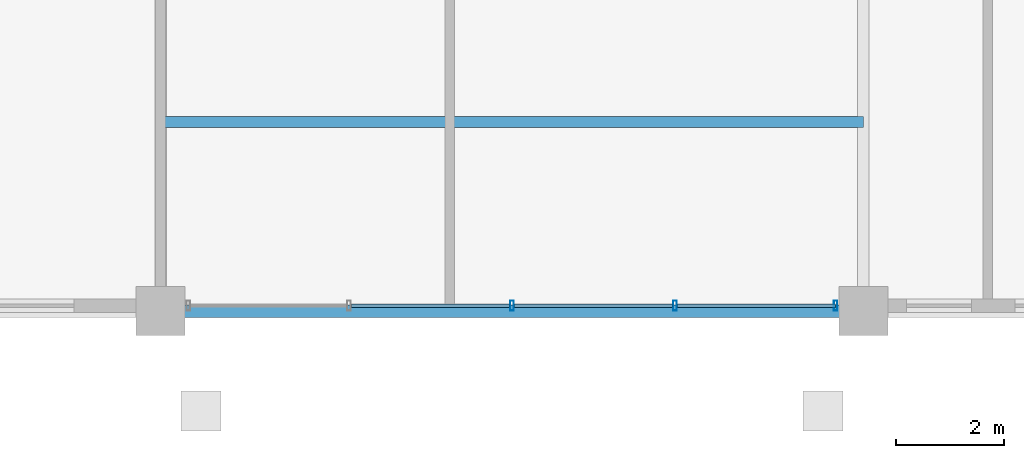
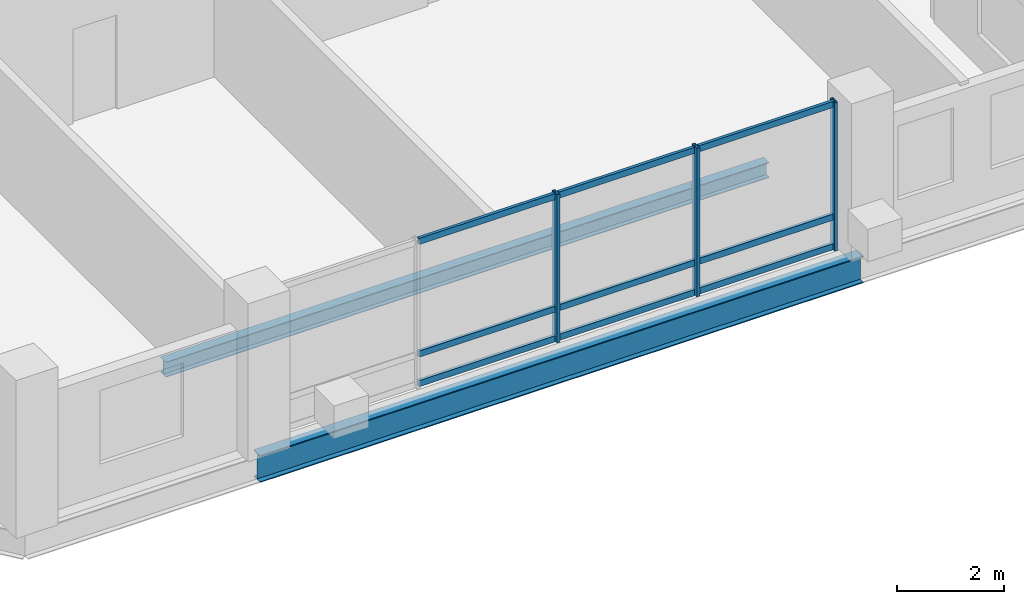
# One storey, part 4 of 21: 12 members, 2 beams, 1 element without a shape of its own.
"""IFC4 building model written with IfcOpenShell, lengths in metres."""

import ifcopenshell
import ifcopenshell.guid

model = None  # the IFC model being written
_history = None  # IfcOwnerHistory: only IFC2X3 demands one
_inside = {}  # id of a spatial element -> (the spatial element, [elements in it])
_under = {}  # id of a project, library or spatial element -> (it, [spatial elements below it])
_declared = {}  # id of a project -> (the project, [libraries it declares])
_typed = {}  # id of a type object -> (the type object, [elements of that type])
_made_of = {}  # id of a material, layer set ... -> (it, [elements and type objects made of it])


def new_model(schema):
    """Start an empty IFC model of exactly this schema.

    Asked for "IFC4X3", IfcOpenShell would pick the latest addendum, in which some entities
    have other attributes; the version numbers below select the first issue.
    IFC2X3 requires an IfcOwnerHistory on every rooted entity: one is made here for all.
    """
    global model, _history
    if schema == "IFC4X3":
        model = ifcopenshell.file(schema_version=(4, 3, 0, 0))
    else:
        model = ifcopenshell.file(schema=schema)
    _inside.clear()
    _under.clear()
    _declared.clear()
    _typed.clear()
    _made_of.clear()
    _history = None
    if model.schema == "IFC2X3":
        org = make("IfcOrganization", Name="unknown")
        user = make(
            "IfcPersonAndOrganization",
            ThePerson=make("IfcPerson", FamilyName="unknown"),
            TheOrganization=org,
        )
        app = make(
            "IfcApplication",
            ApplicationDeveloper=org,
            Version="unknown",
            ApplicationFullName="unknown",
            ApplicationIdentifier="unknown",
        )
        _history = make(
            "IfcOwnerHistory",
            OwningUser=user,
            OwningApplication=app,
            ChangeAction="ADDED",
            CreationDate=0,
        )
    return model


def make(cls, **values):
    """One entity of the class cls with the attributes given. An attribute that is None is left unset."""
    return model.create_entity(
        cls, **{name: value for name, value in values.items() if value is not None}
    )


def rooted(cls, **values):
    """An entity with a GlobalId (a new one), such as an element, a storey or a relation."""
    return make(cls, GlobalId=ifcopenshell.guid.new(), OwnerHistory=_history, **values)


def si_unit(unit_type, name, prefix=None):
    """IfcSIUnit, for example si_unit("LENGTHUNIT", "METRE", prefix="MILLI")."""
    return make("IfcSIUnit", UnitType=unit_type, Prefix=prefix, Name=name)


def assignment(units):
    """IfcUnitAssignment: the units of a project."""
    return None if units is None else make("IfcUnitAssignment", Units=units)


def point(xyz):
    """IfcCartesianPoint."""
    return None if xyz is None else make("IfcCartesianPoint", Coordinates=xyz)


def direction(xyz):
    """IfcDirection."""
    return None if xyz is None else make("IfcDirection", DirectionRatios=xyz)


def frame(location, z_axis=None, x_axis=None):
    """IfcAxis2Placement3D, a coordinate frame: its origin and axes. An axis left out is left unset."""
    return make(
        "IfcAxis2Placement3D",
        Location=point(location),
        Axis=direction(z_axis),
        RefDirection=direction(x_axis),
    )


def frame_2d(location, x_axis=None):
    """IfcAxis2Placement2D, a coordinate frame in the plane: its origin and x axis."""
    return make(
        "IfcAxis2Placement2D", Location=point(location), RefDirection=direction(x_axis)
    )


def origin():
    """The frame at (0, 0, 0) with its axes left unset."""
    return frame((0.0, 0.0, 0.0))


def origin_2d():
    """The frame at (0, 0) in the plane with its x axis left unset."""
    return frame_2d((0.0, 0.0))


def place(relative_to, where):
    """IfcLocalPlacement: puts the frame where relative to a parent placement (None: the world)."""
    return make(
        "IfcLocalPlacement", PlacementRelTo=relative_to, RelativePlacement=where
    )


def context(
    kind, dimensions, precision=None, world=None, true_north=None, identifier=None
):
    """IfcGeometricRepresentationContext, for example the 3D "Model" context."""
    return make(
        "IfcGeometricRepresentationContext",
        ContextIdentifier=identifier,
        ContextType=kind,
        CoordinateSpaceDimension=dimensions,
        Precision=precision,
        WorldCoordinateSystem=world,
        TrueNorth=true_north,
    )


def subcontext(parent, identifier, kind, view, scale=None):
    """IfcGeometricRepresentationSubContext, for example "Body" below "Model"."""
    return make(
        "IfcGeometricRepresentationSubContext",
        ContextIdentifier=identifier,
        ContextType=kind,
        ParentContext=parent,
        TargetScale=scale,
        TargetView=view,
    )


def project(units=None, contexts=None):
    """IfcProject with its units and contexts."""
    return rooted(
        "IfcProject",
        Name="project",
        RepresentationContexts=contexts,
        UnitsInContext=assignment(units),
    )


def spatial(cls, under=None, at=None, **own):
    """A site, building, storey or space (cls), placed at a placement, below another one or the project."""
    s = rooted(cls, ObjectPlacement=at, **own)
    if under is not None:
        _under.setdefault(under.id(), (under, []))[1].append(s)
    return s


def profile(cls, at=None, kind="AREA", **sizes):
    """A parametric profile (cls). Its sizes go by their IFC names, for example OverallWidth=200.0."""
    return make(cls, ProfileType=kind, Position=at, **sizes)


def hollow_rectangle(**sizes):
    """IfcRectangleHollowProfileDef."""
    return profile("IfcRectangleHollowProfileDef", **sizes)


def i_section(**sizes):
    """IfcIShapeProfileDef."""
    return profile("IfcIShapeProfileDef", **sizes)


def extrude(swept, where, along, depth):
    """IfcExtrudedAreaSolid: the profile swept, set in the frame where, extruded along a direction by depth."""
    return make(
        "IfcExtrudedAreaSolid",
        SweptArea=swept,
        Position=where,
        ExtrudedDirection=direction(along),
        Depth=depth,
    )


def shape(context_of_items, identifier, shape_type, items):
    """IfcShapeRepresentation: the items that make up one representation, for example the "Body"."""
    return make(
        "IfcShapeRepresentation",
        ContextOfItems=context_of_items,
        RepresentationIdentifier=identifier,
        RepresentationType=shape_type,
        Items=items,
    )


def material(Name=None, Category=None):
    """IfcMaterial."""
    return make("IfcMaterial", Name=Name, Category=Category)


def layer(
    of_material, thickness, ventilated=None, Name=None, Category=None, Priority=None
):
    """IfcMaterialLayer: one layer of a wall or slab, of a material (None: an air gap)."""
    return make(
        "IfcMaterialLayer",
        Material=of_material,
        LayerThickness=thickness,
        IsVentilated=ventilated,
        Name=Name,
        Category=Category,
        Priority=Priority,
    )


def layer_set(layers, Name=None):
    """IfcMaterialLayerSet."""
    return make("IfcMaterialLayerSet", MaterialLayers=layers, LayerSetName=Name)


def material_profile(
    of_material, cross_section, Name=None, Category=None, Priority=None
):
    """IfcMaterialProfile: a cross section and its material."""
    return make(
        "IfcMaterialProfile",
        Name=Name,
        Material=of_material,
        Profile=cross_section,
        Priority=Priority,
        Category=Category,
    )


def profile_set(profiles, Name=None, composite=None):
    """IfcMaterialProfileSet."""
    return make(
        "IfcMaterialProfileSet",
        Name=Name,
        MaterialProfiles=profiles,
        CompositeProfile=composite,
    )


def made_of(thing, what):
    """Note that an element or type object is made of a material, layer set ...; save() writes the relation."""
    if what is not None:
        _made_of.setdefault(what.id(), (what, []))[1].append(thing)
    return thing


def type_object(cls, material=None, **own):
    """A type object (cls), such as IfcWallType, which elements share."""
    return made_of(rooted(cls, **own), material)


def element(
    cls,
    number,
    at=None,
    inside=None,
    cuts=None,
    type_object=None,
    material=None,
    context=None,
    identifier="Body",
    shape_type=None,
    held_by="IfcProductDefinitionShape",
    body=None,
    shapes=None,
    **own,
):
    """One element of the class cls, such as IfcWall. Its Tag is "e" and its number.

    at: its placement. inside: the storey or other place that contains it. cuts: it is an
    opening in that element (IfcRelVoidsElement). A single representation is given by context,
    identifier, shape_type and body (its items); several are given by shapes. held_by: the class
    of the entity that holds the representations. save() writes the other relations.
    """
    e = rooted(cls, Tag="e%d" % number, ObjectPlacement=at, **own)
    if body is not None:
        shapes = [shape(context, identifier, shape_type, body)]
    if shapes is not None:
        e.Representation = make(held_by, Representations=shapes)
    if inside is not None:
        _inside.setdefault(inside.id(), (inside, []))[1].append(e)
    if cuts is not None:
        rooted(
            "IfcRelVoidsElement", RelatingBuildingElement=cuts, RelatedOpeningElement=e
        )
    if type_object is not None:
        _typed.setdefault(type_object.id(), (type_object, []))[1].append(e)
    return made_of(e, material)


def aggregate(whole, parts):
    """IfcRelAggregates: a whole, such as a stair, and the parts it consists of."""
    return rooted("IfcRelAggregates", RelatingObject=whole, RelatedObjects=parts)


def save(model, path):
    """Write the relations noted so far, then the file.

    IfcRelAggregates (storeys below a building ...), IfcRelContainedInSpatialStructure (elements
    in a storey), IfcRelDefinesByType, IfcRelAssociatesMaterial and IfcRelDeclares: one each for
    every whole, place, type object, material and project.
    """
    for whole, parts in _under.values():
        aggregate(whole, parts)
    for where, things in _inside.values():
        rooted(
            "IfcRelContainedInSpatialStructure",
            RelatedElements=things,
            RelatingStructure=where,
        )
    for kind, things in _typed.values():
        rooted("IfcRelDefinesByType", RelatedObjects=things, RelatingType=kind)
    for what, things in _made_of.values():
        rooted("IfcRelAssociatesMaterial", RelatedObjects=things, RelatingMaterial=what)
    for by, libraries in _declared.values():
        rooted("IfcRelDeclares", RelatingContext=by, RelatedDefinitions=libraries)
    model.write(path)


model = new_model("IFC4")

# Units and contexts
model_context = context("Model", 3, precision=1e-05, world=origin(), true_north=direction((0.0, 1.0)))
body_context = subcontext(model_context, "Body", "Model", "MODEL_VIEW")
ifc_project = project(units=[si_unit("LENGTHUNIT", "METRE"), si_unit("AREAUNIT", "SQUARE_METRE"), si_unit("VOLUMEUNIT", "CUBIC_METRE"), si_unit("PLANEANGLEUNIT", "RADIAN"), si_unit("MASSUNIT", "GRAM", prefix="KILO")], contexts=[model_context])

# Site, building, storey
site_placement = place(None, origin())
site = spatial("IfcSite", under=ifc_project, at=site_placement, CompositionType="ELEMENT")
building_placement = place(site_placement, origin())
building = spatial("IfcBuilding", under=site, at=building_placement, Name="Barlavira Tower and Art Museum", CompositionType="ELEMENT")
storey_placement = place(building_placement, frame((0.0, 0.0, 287.10009765625)))
storey = spatial("IfcBuildingStorey", under=building, at=storey_placement, Name="L75", CompositionType="ELEMENT", Elevation=287.10009765625)

# Curtain wall, members
ifc_material_1 = material(Name="Low-iron coastal laminated glass", Category="glass")
ifc_layer = layer(ifc_material_1, 0.2099609375, Name="Low-iron coastal laminated glass")
ifc_layer_set = layer_set([ifc_layer], Name="Low-iron coastal laminated glass")
curtain_wall_type = type_object("IfcCurtainWallType", Name="Pale-Metal Unitised Curtain Wall Zone 4", PredefinedType="NOTDEFINED", material=ifc_layer_set)
curtain_wall_placement = place(storey_placement, origin())
curtain_wall = element("IfcCurtainWall", 1, at=curtain_wall_placement, inside=storey, type_object=curtain_wall_type, Name="L75 Curtain Wall CW4-L75-S-B2", PredefinedType="NOTDEFINED")
ifc_material_2 = material(Name="Pale anodised aluminium", Category="aluminium")
ifc_material_profile_1 = material_profile(ifc_material_2, hollow_rectangle(XDim=0.06494140625, YDim=0.179931640625, WallThickness=0.00390625, at=origin_2d()), Name="ALU-MULL 65x180x4")
ifc_profile_set_1 = profile_set([ifc_material_profile_1], Name="Pale anodised aluminium")
member_type_1 = type_object("IfcMemberType", Name="Curtain Wall Pale-Metal Mullion 65x180", PredefinedType="MULLION", material=ifc_profile_set_1)
member_1_placement = place(storey_placement, frame((0.0, -19.89990234375, 0.0), z_axis=(0.0, 0.0, 1.0), x_axis=(1.0, 0.0, 0.0)))
member_1 = element("IfcMember", 2, at=member_1_placement, type_object=member_type_1, Name="CW4-L75-S-B2 Mullion 2", PredefinedType="MULLION", context=body_context, shape_type="SweptSolid", body=[
    extrude(hollow_rectangle(XDim=0.06494140625, YDim=0.179931640625, WallThickness=0.00390625, at=origin_2d()), origin(), (0.0, 0.0, 1.0), 3.3798828125),
])
member_2_placement = place(storey_placement, frame((3.014892578125, -19.89990234375, 0.0), z_axis=(0.0, 0.0, 1.0), x_axis=(1.0, 0.0, 0.0)))
member_2 = element("IfcMember", 3, at=member_2_placement, type_object=member_type_1, Name="CW4-L75-S-B2 Mullion 3", PredefinedType="MULLION", context=body_context, shape_type="SweptSolid", body=[
    extrude(hollow_rectangle(XDim=0.06494140625, YDim=0.179931640625, WallThickness=0.00390625, at=origin_2d()), origin(), (0.0, 0.0, 1.0), 3.3798828125),
])
member_3_placement = place(storey_placement, frame((5.985107421875, -19.89990234375, 0.0), z_axis=(0.0, 0.0, 1.0), x_axis=(1.0, 0.0, 0.0)))
member_3 = element("IfcMember", 4, at=member_3_placement, type_object=member_type_1, Name="CW4-L75-S-B2 Mullion 4", PredefinedType="MULLION", context=body_context, shape_type="SweptSolid", body=[
    extrude(hollow_rectangle(XDim=0.06494140625, YDim=0.179931640625, WallThickness=0.00390625, at=origin_2d()), origin(), (0.0, 0.0, 1.0), 3.3798828125),
])
ifc_material_profile_2 = material_profile(ifc_material_2, hollow_rectangle(XDim=0.06494140625, YDim=0.139892578125, WallThickness=0.00390625, at=origin_2d()), Name="ALU-TRAN 65x140x4")
ifc_profile_set_2 = profile_set([ifc_material_profile_2], Name="Pale anodised aluminium")
member_type_2 = type_object("IfcMemberType", Name="Curtain Wall Pale-Metal Transom 65x140", PredefinedType="USERDEFINED", material=ifc_profile_set_2)
member_4_placement = place(storey_placement, frame((-2.969970703125, -19.89990234375, 0.06982421875), z_axis=(1.0, 0.0, 0.0), x_axis=(0.0, 1.0, 0.0)))
member_4 = element("IfcMember", 5, at=member_4_placement, type_object=member_type_2, Name="CW4-L75-S-B2 Transom 1.1", ObjectType="TRANSOM", PredefinedType="USERDEFINED", context=body_context, shape_type="SweptSolid", body=[
    extrude(hollow_rectangle(XDim=0.06494140625, YDim=0.139892578125, WallThickness=0.00390625, at=origin_2d()), origin(), (0.0, 0.0, 1.0), 2.925048828125),
])
member_5_placement = place(storey_placement, frame((-2.969970703125, -19.89990234375, 0.743896484375), z_axis=(1.0, 0.0, 0.0), x_axis=(0.0, 1.0, 0.0)))
member_5 = element("IfcMember", 6, at=member_5_placement, type_object=member_type_2, Name="CW4-L75-S-B2 Transom 1.2", ObjectType="TRANSOM", PredefinedType="USERDEFINED", context=body_context, shape_type="SweptSolid", body=[
    extrude(hollow_rectangle(XDim=0.06494140625, YDim=0.139892578125, WallThickness=0.00390625, at=origin_2d()), origin(), (0.0, 0.0, 1.0), 2.925048828125),
])
member_6_placement = place(storey_placement, frame((-2.969970703125, -19.89990234375, 3.309814453125), z_axis=(1.0, 0.0, 0.0), x_axis=(0.0, 1.0, 0.0)))
member_6 = element("IfcMember", 7, at=member_6_placement, type_object=member_type_2, Name="CW4-L75-S-B2 Transom 1.3", ObjectType="TRANSOM", PredefinedType="USERDEFINED", context=body_context, shape_type="SweptSolid", body=[
    extrude(hollow_rectangle(XDim=0.06494140625, YDim=0.139892578125, WallThickness=0.00390625, at=origin_2d()), origin(), (0.0, 0.0, 1.0), 2.925048828125),
])
member_7_placement = place(storey_placement, frame((0.044921875, -19.89990234375, 0.06982421875), z_axis=(1.0, 0.0, 0.0), x_axis=(0.0, 1.0, 0.0)))
member_7 = element("IfcMember", 8, at=member_7_placement, type_object=member_type_2, Name="CW4-L75-S-B2 Transom 2.1", ObjectType="TRANSOM", PredefinedType="USERDEFINED", context=body_context, shape_type="SweptSolid", body=[
    extrude(hollow_rectangle(XDim=0.06494140625, YDim=0.139892578125, WallThickness=0.00390625, at=origin_2d()), origin(), (0.0, 0.0, 1.0), 2.925048828125),
])
member_8_placement = place(storey_placement, frame((0.044921875, -19.89990234375, 0.743896484375), z_axis=(1.0, 0.0, 0.0), x_axis=(0.0, 1.0, 0.0)))
member_8 = element("IfcMember", 9, at=member_8_placement, type_object=member_type_2, Name="CW4-L75-S-B2 Transom 2.2", ObjectType="TRANSOM", PredefinedType="USERDEFINED", context=body_context, shape_type="SweptSolid", body=[
    extrude(hollow_rectangle(XDim=0.06494140625, YDim=0.139892578125, WallThickness=0.00390625, at=origin_2d()), origin(), (0.0, 0.0, 1.0), 2.925048828125),
])
member_9_placement = place(storey_placement, frame((0.044921875, -19.89990234375, 3.309814453125), z_axis=(1.0, 0.0, 0.0), x_axis=(0.0, 1.0, 0.0)))
member_9 = element("IfcMember", 10, at=member_9_placement, type_object=member_type_2, Name="CW4-L75-S-B2 Transom 2.3", ObjectType="TRANSOM", PredefinedType="USERDEFINED", context=body_context, shape_type="SweptSolid", body=[
    extrude(hollow_rectangle(XDim=0.06494140625, YDim=0.139892578125, WallThickness=0.00390625, at=origin_2d()), origin(), (0.0, 0.0, 1.0), 2.925048828125),
])
member_10_placement = place(storey_placement, frame((3.06005859375, -19.89990234375, 0.06982421875), z_axis=(1.0, 0.0, 0.0), x_axis=(0.0, 1.0, 0.0)))
member_10 = element("IfcMember", 11, at=member_10_placement, type_object=member_type_2, Name="CW4-L75-S-B2 Transom 3.1", ObjectType="TRANSOM", PredefinedType="USERDEFINED", context=body_context, shape_type="SweptSolid", body=[
    extrude(hollow_rectangle(XDim=0.06494140625, YDim=0.139892578125, WallThickness=0.00390625, at=origin_2d()), origin(), (0.0, 0.0, 1.0), 2.925048828125),
])
member_11_placement = place(storey_placement, frame((3.06005859375, -19.89990234375, 0.743896484375), z_axis=(1.0, 0.0, 0.0), x_axis=(0.0, 1.0, 0.0)))
member_11 = element("IfcMember", 12, at=member_11_placement, type_object=member_type_2, Name="CW4-L75-S-B2 Transom 3.2", ObjectType="TRANSOM", PredefinedType="USERDEFINED", context=body_context, shape_type="SweptSolid", body=[
    extrude(hollow_rectangle(XDim=0.06494140625, YDim=0.139892578125, WallThickness=0.00390625, at=origin_2d()), origin(), (0.0, 0.0, 1.0), 2.925048828125),
])
member_12_placement = place(storey_placement, frame((3.06005859375, -19.89990234375, 3.309814453125), z_axis=(1.0, 0.0, 0.0), x_axis=(0.0, 1.0, 0.0)))
member_12 = element("IfcMember", 13, at=member_12_placement, type_object=member_type_2, Name="CW4-L75-S-B2 Transom 3.3", ObjectType="TRANSOM", PredefinedType="USERDEFINED", context=body_context, shape_type="SweptSolid", body=[
    extrude(hollow_rectangle(XDim=0.06494140625, YDim=0.139892578125, WallThickness=0.00390625, at=origin_2d()), origin(), (0.0, 0.0, 1.0), 2.925048828125),
])
aggregate(curtain_wall, [member_1, member_2, member_3, member_4, member_5, member_6, member_7, member_8, member_9, member_10, member_11, member_12])

# Beams
ifc_material_3 = material(Name="Steel S355", Category="steel")
ifc_material_profile_3 = material_profile(ifc_material_3, i_section(OverallWidth=0.22998046875, OverallDepth=0.616943359375, WebThickness=0.01318359375, FlangeThickness=0.022216796875, at=origin_2d()), Name="W610x140.0")
ifc_profile_set_3 = profile_set([ifc_material_profile_3], Name="Steel S355")
beam_type_1 = type_object("IfcBeamType", Name="Upper Shaft Spandrel Edge Beam W610x140 Steel S355", PredefinedType="SPANDREL", material=ifc_profile_set_3)
beam_1_placement = place(storey_placement, frame((-6.5, -20.0, -0.528564453125), z_axis=(1.0, 0.0, 0.0), x_axis=(0.0, 1.0, 0.0)))
element("IfcBeam", 14, at=beam_1_placement, inside=storey, type_object=beam_type_1, Name="L75 Spandrel 2", PredefinedType="SPANDREL", context=body_context, shape_type="SweptSolid", body=[
    extrude(i_section(OverallWidth=0.22998046875, OverallDepth=0.616943359375, WebThickness=0.01318359375, FlangeThickness=0.022216796875, at=origin_2d()), origin(), (0.0, 0.0, 1.0), 13.0),
])
ifc_material_profile_4 = material_profile(ifc_material_3, i_section(OverallWidth=0.202880859375, OverallDepth=0.346923828125, WebThickness=0.0078125, FlangeThickness=0.013427734375, at=origin_2d()), Name="W360x64.0")
ifc_profile_set_4 = profile_set([ifc_material_profile_4], Name="Steel S355")
beam_type_2 = type_object("IfcBeamType", Name="Zone 4 Composite Floor Joist W360x64 Steel S355", PredefinedType="JOIST", material=ifc_profile_set_4)
beam_2_placement = place(storey_placement, frame((-6.5, -16.5, -0.3935546875), z_axis=(1.0, 0.0, 0.0), x_axis=(0.0, 1.0, 0.0)))
element("IfcBeam", 15, at=beam_2_placement, inside=storey, type_object=beam_type_2, Name="L75 Joist C1", PredefinedType="JOIST", context=body_context, shape_type="SweptSolid", body=[
    extrude(i_section(OverallWidth=0.202880859375, OverallDepth=0.346923828125, WebThickness=0.0078125, FlangeThickness=0.013427734375, at=origin_2d()), origin(), (0.0, 0.0, 1.0), 13.0),
])

save(model, "model.ifc")
